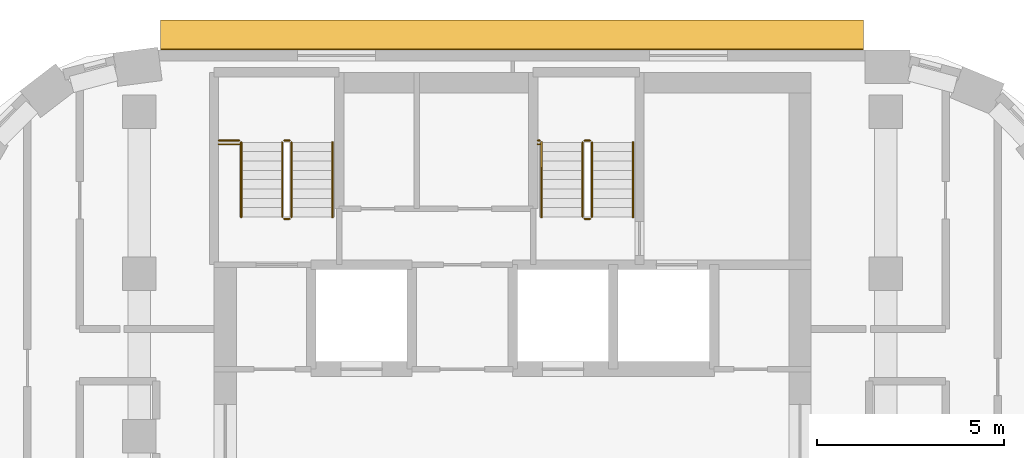
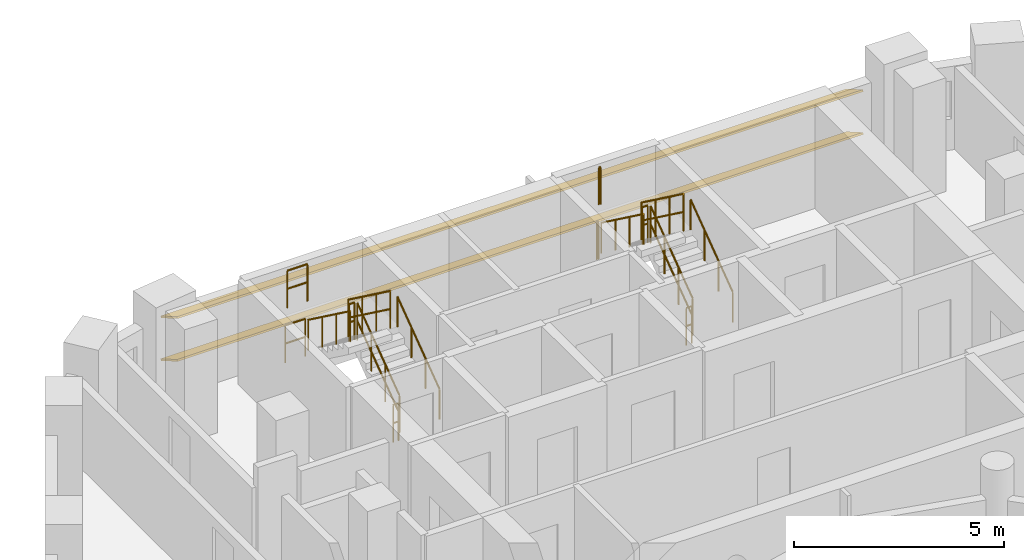
# One storey, part 15 of 15: 16 railings, 2 shading devices.
"""IFC4 building model written with IfcOpenShell, lengths in metres."""

from ifc_helpers import new_model, si_unit, direction, frame, origin, origin_2d, place, context, subcontext, project, spatial, rectangle, circle, extrude, material, material_profile, profile_set, type_object, element, save


model = new_model("IFC4")

# Units and contexts
model_context = context("Model", 3, precision=1e-05, world=origin(), true_north=direction((0.0, 1.0)))
body_context = subcontext(model_context, "Body", "Model", "MODEL_VIEW")
ifc_project = project(units=[si_unit("LENGTHUNIT", "METRE"), si_unit("AREAUNIT", "SQUARE_METRE"), si_unit("VOLUMEUNIT", "CUBIC_METRE"), si_unit("PLANEANGLEUNIT", "RADIAN"), si_unit("MASSUNIT", "GRAM", prefix="KILO")], contexts=[model_context])

# Site, building, storey
site_placement = place(None, origin())
site = spatial("IfcSite", under=ifc_project, at=site_placement, CompositionType="ELEMENT")
building_placement = place(site_placement, origin())
building = spatial("IfcBuilding", under=site, at=building_placement, Name="Nakaniwa Court", CompositionType="ELEMENT")
storey_placement = place(building_placement, frame((0.0, 0.0, 213.0)))
storey = spatial("IfcBuildingStorey", under=building, at=storey_placement, Name="L56", CompositionType="ELEMENT", Elevation=213.0)

# Shading devices
ifc_material_1 = material(Name="Perforated charcoal ceramic louvre blade")
ifc_material_profile = material_profile(ifc_material_1, rectangle(XDim=0.89990234375, YDim=0.050048828125, at=origin_2d()), Name="Perforated ceramic louvre blade")
ifc_profile_set = profile_set([ifc_material_profile], Name="Perforated charcoal ceramic louvre blade")
shading_device_type = type_object("IfcShadingDeviceType", Name="Perforated ceramic louvre blade", PredefinedType="JALOUSIE", material=ifc_profile_set)
for number, where, z_axis, x_axis, name in (
    (1, (89.3994140625, 103.05224609375, 0.550048828125), (-1.0, 0.0, 0.0), (0.0, -0.866025403784, 0.5), "L56 perforated ceramic louvre blade w08 1"),
    (2, (89.3994140625, 103.05224609375, 1.793212890625), (-1.0, 0.0, 0.0), (0.0, -0.866025403784, 0.5), "L56 perforated ceramic louvre blade w08 2"),
):
    element("IfcShadingDevice", number, at=place(storey_placement, frame(where, z_axis=z_axis, x_axis=x_axis)), inside=storey, type_object=shading_device_type, Name=name, PredefinedType="JALOUSIE", context=body_context, shape_type="SweptSolid", body=[
        extrude(rectangle(XDim=0.89990234375, YDim=0.050048828125, at=origin_2d()), origin(), (0.0, 0.0, 1.0), 18.8330078125),
    ])

# Railings
ifc_material_2 = material(Name="Black powder coated steel guard", Category="steel")
railing_type_1 = type_object("IfcRailingType", Name="Stair guard 1100", PredefinedType="GUARDRAIL", material=ifc_material_2)
railing_1_placement = place(storey_placement, frame((74.074951171875, 98.175048828125, 0.183349609375)))
element("IfcRailing", 3, at=railing_1_placement, inside=storey, type_object=railing_type_1, Name="L56 ST1 stair guard 1", PredefinedType="GUARDRAIL", context=body_context, shape_type="SweptSolid", body=[
    extrude(circle(Radius=0.02392578125, at=origin_2d()), frame((0.0, 0.0, 1.076171875), z_axis=(0.0, 0.806426902644, 0.591333789573), x_axis=(-1.0, 0.0, 0.0)), (0.0, 0.0, 1.0), 2.47998046875),
    extrude(circle(Radius=0.02392578125, at=origin_2d()), frame((0.0, 0.0, 0.550048828125), z_axis=(0.0, 0.806426902644, 0.591333789573), x_axis=(-1.0, 0.0, 0.0)), (0.0, 0.0, 1.0), 2.47998046875),
    extrude(circle(Radius=0.02099609375, at=origin_2d()), origin(), (0.0, 0.0, 1.0), 1.052001953125),
    extrude(circle(Radius=0.02099609375, at=origin_2d()), frame((0.0, 0.666748046875, 0.48876953125)), (0.0, 0.0, 1.0), 1.052001953125),
    extrude(circle(Radius=0.02099609375, at=origin_2d()), frame((0.0, 1.333251953125, 0.977783203125)), (0.0, 0.0, 1.0), 1.052001953125),
    extrude(circle(Radius=0.02099609375, at=origin_2d()), frame((0.0, 2.0, 1.466552734375)), (0.0, 0.0, 1.0), 1.052001953125),
])
railing_2_placement = place(storey_placement, frame((74.02490234375, 100.22509765625, 1.64990234375)))
element("IfcRailing", 4, at=railing_2_placement, inside=storey, type_object=railing_type_1, Name="L56 ST1 stair guard 2", PredefinedType="GUARDRAIL", context=body_context, shape_type="SweptSolid", body=[
    extrude(circle(Radius=0.02392578125, at=origin_2d()), frame((0.0, 0.0, 1.076171875), z_axis=(-1.0, 0.0, 0.0), x_axis=(0.0, -1.0, 0.0)), (0.0, 0.0, 1.0), 0.14990234375),
    extrude(circle(Radius=0.02392578125, at=origin_2d()), frame((0.0, 0.0, 0.550048828125), z_axis=(-1.0, 0.0, 0.0), x_axis=(0.0, -1.0, 0.0)), (0.0, 0.0, 1.0), 0.14990234375),
    extrude(circle(Radius=0.02099609375, at=origin_2d()), origin(), (0.0, 0.0, 1.0), 1.052001953125),
    extrude(circle(Radius=0.02099609375, at=origin_2d()), frame((-0.14990234375, 0.0, 0.0)), (0.0, 0.0, 1.0), 1.052001953125),
])
railing_3_placement = place(storey_placement, frame((73.824951171875, 100.175048828125, 1.833251953125)))
element("IfcRailing", 5, at=railing_3_placement, inside=storey, type_object=railing_type_1, Name="L56 ST1 stair guard 3", PredefinedType="GUARDRAIL", context=body_context, shape_type="SweptSolid", body=[
    extrude(circle(Radius=0.02392578125, at=origin_2d()), frame((0.0, 0.0, 1.076171875), z_axis=(0.0, -0.806379959628, 0.591397802423), x_axis=(1.0, 0.0, 0.0)), (0.0, 0.0, 1.0), 2.480224609375),
    extrude(circle(Radius=0.02392578125, at=origin_2d()), frame((0.0, 0.0, 0.550048828125), z_axis=(0.0, -0.806379959628, 0.591397802423), x_axis=(1.0, 0.0, 0.0)), (0.0, 0.0, 1.0), 2.480224609375),
    extrude(circle(Radius=0.02099609375, at=origin_2d()), origin(), (0.0, 0.0, 1.0), 1.052001953125),
    extrude(circle(Radius=0.02099609375, at=origin_2d()), frame((0.0, -0.666748046875, 0.489013671875)), (0.0, 0.0, 1.0), 1.052001953125),
    extrude(circle(Radius=0.02099609375, at=origin_2d()), frame((0.0, -1.333251953125, 0.977783203125)), (0.0, 0.0, 1.0), 1.052001953125),
    extrude(circle(Radius=0.02099609375, at=origin_2d()), frame((0.0, -2.0, 1.466796875)), (0.0, 0.0, 1.0), 1.052001953125),
])
railing_4_placement = place(storey_placement, frame((74.02490234375, 98.125, 0.0)))
element("IfcRailing", 6, at=railing_4_placement, inside=storey, type_object=railing_type_1, Name="L56 ST1 stair guard 4", PredefinedType="GUARDRAIL", context=body_context, shape_type="SweptSolid", body=[
    extrude(circle(Radius=0.02392578125, at=origin_2d()), frame((0.0, 0.0, 1.076171875), z_axis=(-1.0, 0.0, 0.0), x_axis=(0.0, -1.0, 0.0)), (0.0, 0.0, 1.0), 0.14990234375),
    extrude(circle(Radius=0.02392578125, at=origin_2d()), frame((0.0, 0.0, 0.550048828125), z_axis=(-1.0, 0.0, 0.0), x_axis=(0.0, -1.0, 0.0)), (0.0, 0.0, 1.0), 0.14990234375),
    extrude(circle(Radius=0.02099609375, at=origin_2d()), origin(), (0.0, 0.0, 1.0), 1.052001953125),
    extrude(circle(Radius=0.02099609375, at=origin_2d()), frame((-0.14990234375, 0.0, 0.0)), (0.0, 0.0, 1.0), 1.052001953125),
])
for number, where, name in (
    (7, (72.125, 100.22509765625, 1.64990234375), "L56 ST1 landing side guard 1W"),
    (8, (72.125, 100.125, 3.300048828125), "L56 ST1 floor edge guard 1W"),
):
    element("IfcRailing", number, at=place(storey_placement, frame(where)), inside=storey, type_object=railing_type_1, Name=name, PredefinedType="GUARDRAIL", context=body_context, shape_type="SweptSolid", body=[
        extrude(circle(Radius=0.02392578125, at=origin_2d()), frame((0.0, 0.0, 1.076171875), z_axis=(1.0, 0.0, 0.0), x_axis=(0.0, 1.0, 0.0)), (0.0, 0.0, 1.0), 0.550048828125),
        extrude(circle(Radius=0.02392578125, at=origin_2d()), frame((0.0, 0.0, 0.550048828125), z_axis=(1.0, 0.0, 0.0), x_axis=(0.0, 1.0, 0.0)), (0.0, 0.0, 1.0), 0.550048828125),
        extrude(circle(Radius=0.02099609375, at=origin_2d()), origin(), (0.0, 0.0, 1.0), 1.052001953125),
        extrude(circle(Radius=0.02099609375, at=origin_2d()), frame((0.550048828125, 0.0, 0.0)), (0.0, 0.0, 1.0), 1.052001953125),
    ])
railing_5_placement = place(storey_placement, frame((82.125, 98.175048828125, 0.183349609375)))
element("IfcRailing", 9, at=railing_5_placement, inside=storey, type_object=railing_type_1, Name="L56 ST2 stair guard 1", PredefinedType="GUARDRAIL", context=body_context, shape_type="SweptSolid", body=[
    extrude(circle(Radius=0.02392578125, at=origin_2d()), frame((0.0, 0.0, 1.076171875), z_axis=(0.0, 0.806426902644, 0.591333789573), x_axis=(-1.0, 0.0, 0.0)), (0.0, 0.0, 1.0), 2.47998046875),
    extrude(circle(Radius=0.02392578125, at=origin_2d()), frame((0.0, 0.0, 0.550048828125), z_axis=(0.0, 0.806426902644, 0.591333789573), x_axis=(-1.0, 0.0, 0.0)), (0.0, 0.0, 1.0), 2.47998046875),
    extrude(circle(Radius=0.02099609375, at=origin_2d()), origin(), (0.0, 0.0, 1.0), 1.052001953125),
    extrude(circle(Radius=0.02099609375, at=origin_2d()), frame((0.0, 0.666748046875, 0.48876953125)), (0.0, 0.0, 1.0), 1.052001953125),
    extrude(circle(Radius=0.02099609375, at=origin_2d()), frame((0.0, 1.333251953125, 0.977783203125)), (0.0, 0.0, 1.0), 1.052001953125),
    extrude(circle(Radius=0.02099609375, at=origin_2d()), frame((0.0, 2.0, 1.466552734375)), (0.0, 0.0, 1.0), 1.052001953125),
])
railing_6_placement = place(storey_placement, frame((82.074951171875, 100.22509765625, 1.64990234375)))
element("IfcRailing", 10, at=railing_6_placement, inside=storey, type_object=railing_type_1, Name="L56 ST2 stair guard 2", PredefinedType="GUARDRAIL", context=body_context, shape_type="SweptSolid", body=[
    extrude(circle(Radius=0.02392578125, at=origin_2d()), frame((0.0, 0.0, 1.076171875), z_axis=(-1.0, 0.0, 0.0), x_axis=(0.0, -1.0, 0.0)), (0.0, 0.0, 1.0), 0.14990234375),
    extrude(circle(Radius=0.02392578125, at=origin_2d()), frame((0.0, 0.0, 0.550048828125), z_axis=(-1.0, 0.0, 0.0), x_axis=(0.0, -1.0, 0.0)), (0.0, 0.0, 1.0), 0.14990234375),
    extrude(circle(Radius=0.02099609375, at=origin_2d()), origin(), (0.0, 0.0, 1.0), 1.052001953125),
    extrude(circle(Radius=0.02099609375, at=origin_2d()), frame((-0.14990234375, 0.0, 0.0)), (0.0, 0.0, 1.0), 1.052001953125),
])
railing_7_placement = place(storey_placement, frame((81.875, 100.175048828125, 1.833251953125)))
element("IfcRailing", 11, at=railing_7_placement, inside=storey, type_object=railing_type_1, Name="L56 ST2 stair guard 3", PredefinedType="GUARDRAIL", context=body_context, shape_type="SweptSolid", body=[
    extrude(circle(Radius=0.02392578125, at=origin_2d()), frame((0.0, 0.0, 1.076171875), z_axis=(0.0, -0.806379959628, 0.591397802423), x_axis=(1.0, 0.0, 0.0)), (0.0, 0.0, 1.0), 2.480224609375),
    extrude(circle(Radius=0.02392578125, at=origin_2d()), frame((0.0, 0.0, 0.550048828125), z_axis=(0.0, -0.806379959628, 0.591397802423), x_axis=(1.0, 0.0, 0.0)), (0.0, 0.0, 1.0), 2.480224609375),
    extrude(circle(Radius=0.02099609375, at=origin_2d()), origin(), (0.0, 0.0, 1.0), 1.052001953125),
    extrude(circle(Radius=0.02099609375, at=origin_2d()), frame((0.0, -0.666748046875, 0.489013671875)), (0.0, 0.0, 1.0), 1.052001953125),
    extrude(circle(Radius=0.02099609375, at=origin_2d()), frame((0.0, -1.333251953125, 0.977783203125)), (0.0, 0.0, 1.0), 1.052001953125),
    extrude(circle(Radius=0.02099609375, at=origin_2d()), frame((0.0, -2.0, 1.466796875)), (0.0, 0.0, 1.0), 1.052001953125),
])
railing_8_placement = place(storey_placement, frame((82.074951171875, 98.125, 0.0)))
element("IfcRailing", 12, at=railing_8_placement, inside=storey, type_object=railing_type_1, Name="L56 ST2 stair guard 4", PredefinedType="GUARDRAIL", context=body_context, shape_type="SweptSolid", body=[
    extrude(circle(Radius=0.02392578125, at=origin_2d()), frame((0.0, 0.0, 1.076171875), z_axis=(-1.0, 0.0, 0.0), x_axis=(0.0, -1.0, 0.0)), (0.0, 0.0, 1.0), 0.14990234375),
    extrude(circle(Radius=0.02392578125, at=origin_2d()), frame((0.0, 0.0, 0.550048828125), z_axis=(-1.0, 0.0, 0.0), x_axis=(0.0, -1.0, 0.0)), (0.0, 0.0, 1.0), 0.14990234375),
    extrude(circle(Radius=0.02099609375, at=origin_2d()), origin(), (0.0, 0.0, 1.0), 1.052001953125),
    extrude(circle(Radius=0.02099609375, at=origin_2d()), frame((-0.14990234375, 0.0, 0.0)), (0.0, 0.0, 1.0), 1.052001953125),
])
for number, where, name in (
    (13, (80.675048828125, 100.22509765625, 1.64990234375), "L56 ST2 landing side guard 1W"),
    (14, (80.675048828125, 100.125, 3.300048828125), "L56 ST2 floor edge guard 1W"),
):
    element("IfcRailing", number, at=place(storey_placement, frame(where)), inside=storey, type_object=railing_type_1, Name=name, PredefinedType="GUARDRAIL", context=body_context, shape_type="SweptSolid", body=[
        extrude(circle(Radius=0.02392578125, at=origin_2d()), frame((0.0, 0.0, 1.076171875), z_axis=(1.0, 0.0, 0.0), x_axis=(0.0, 1.0, 0.0)), (0.0, 0.0, 1.0), 0.050048828125),
        extrude(circle(Radius=0.02392578125, at=origin_2d()), frame((0.0, 0.0, 0.550048828125), z_axis=(1.0, 0.0, 0.0), x_axis=(0.0, 1.0, 0.0)), (0.0, 0.0, 1.0), 0.050048828125),
        extrude(circle(Radius=0.02099609375, at=origin_2d()), origin(), (0.0, 0.0, 1.0), 1.052001953125),
        extrude(circle(Radius=0.02099609375, at=origin_2d()), frame((0.050048828125, 0.0, 0.0)), (0.0, 0.0, 1.0), 1.052001953125),
    ])
ifc_material_3 = material(Name="Black powder coated steel handrail", Category="steel")
railing_type_2 = type_object("IfcRailingType", Name="Stair handrail 900", PredefinedType="HANDRAIL", material=ifc_material_3)
railing_9_placement = place(storey_placement, frame((75.175048828125, 98.175048828125, 0.183349609375)))
element("IfcRailing", 15, at=railing_9_placement, inside=storey, type_object=railing_type_2, Name="L56 ST1 stair handrail 1", PredefinedType="HANDRAIL", context=body_context, shape_type="SweptSolid", body=[
    extrude(circle(Radius=0.02392578125, at=origin_2d()), frame((0.0, 0.0, 0.8759765625), z_axis=(0.0, 0.806426902644, 0.591333789573), x_axis=(-1.0, 0.0, 0.0)), (0.0, 0.0, 1.0), 2.47998046875),
    extrude(circle(Radius=0.02099609375, at=origin_2d()), origin(), (0.0, 0.0, 1.0), 0.851806640625),
    extrude(circle(Radius=0.02099609375, at=origin_2d()), frame((0.0, 0.666748046875, 0.48876953125)), (0.0, 0.0, 1.0), 0.851806640625),
    extrude(circle(Radius=0.02099609375, at=origin_2d()), frame((0.0, 1.333251953125, 0.977783203125)), (0.0, 0.0, 1.0), 0.851806640625),
    extrude(circle(Radius=0.02099609375, at=origin_2d()), frame((0.0, 2.0, 1.466552734375)), (0.0, 0.0, 1.0), 0.851806640625),
])
railing_10_placement = place(storey_placement, frame((72.72509765625, 100.175048828125, 1.833251953125)))
element("IfcRailing", 16, at=railing_10_placement, inside=storey, type_object=railing_type_2, Name="L56 ST1 stair handrail 2", PredefinedType="HANDRAIL", context=body_context, shape_type="SweptSolid", body=[
    extrude(circle(Radius=0.02392578125, at=origin_2d()), frame((0.0, 0.0, 0.8759765625), z_axis=(0.0, -0.806379959628, 0.591397802423), x_axis=(1.0, 0.0, 0.0)), (0.0, 0.0, 1.0), 2.480224609375),
    extrude(circle(Radius=0.02099609375, at=origin_2d()), origin(), (0.0, 0.0, 1.0), 0.851806640625),
    extrude(circle(Radius=0.02099609375, at=origin_2d()), frame((0.0, -0.666748046875, 0.489013671875)), (0.0, 0.0, 1.0), 0.851806640625),
    extrude(circle(Radius=0.02099609375, at=origin_2d()), frame((0.0, -1.333251953125, 0.977783203125)), (0.0, 0.0, 1.0), 0.851806640625),
    extrude(circle(Radius=0.02099609375, at=origin_2d()), frame((0.0, -2.0, 1.466796875)), (0.0, 0.0, 1.0), 0.851806640625),
])
railing_11_placement = place(storey_placement, frame((83.22509765625, 98.175048828125, 0.183349609375)))
element("IfcRailing", 17, at=railing_11_placement, inside=storey, type_object=railing_type_2, Name="L56 ST2 stair handrail 1", PredefinedType="HANDRAIL", context=body_context, shape_type="SweptSolid", body=[
    extrude(circle(Radius=0.02392578125, at=origin_2d()), frame((0.0, 0.0, 0.8759765625), z_axis=(0.0, 0.806426902644, 0.591333789573), x_axis=(-1.0, 0.0, 0.0)), (0.0, 0.0, 1.0), 2.47998046875),
    extrude(circle(Radius=0.02099609375, at=origin_2d()), origin(), (0.0, 0.0, 1.0), 0.851806640625),
    extrude(circle(Radius=0.02099609375, at=origin_2d()), frame((0.0, 0.666748046875, 0.48876953125)), (0.0, 0.0, 1.0), 0.851806640625),
    extrude(circle(Radius=0.02099609375, at=origin_2d()), frame((0.0, 1.333251953125, 0.977783203125)), (0.0, 0.0, 1.0), 0.851806640625),
    extrude(circle(Radius=0.02099609375, at=origin_2d()), frame((0.0, 2.0, 1.466552734375)), (0.0, 0.0, 1.0), 0.851806640625),
])
railing_12_placement = place(storey_placement, frame((80.77490234375, 100.175048828125, 1.833251953125)))
element("IfcRailing", 18, at=railing_12_placement, inside=storey, type_object=railing_type_2, Name="L56 ST2 stair handrail 2", PredefinedType="HANDRAIL", context=body_context, shape_type="SweptSolid", body=[
    extrude(circle(Radius=0.02392578125, at=origin_2d()), frame((0.0, 0.0, 0.8759765625), z_axis=(0.0, -0.806379959628, 0.591397802423), x_axis=(1.0, 0.0, 0.0)), (0.0, 0.0, 1.0), 2.480224609375),
    extrude(circle(Radius=0.02099609375, at=origin_2d()), origin(), (0.0, 0.0, 1.0), 0.851806640625),
    extrude(circle(Radius=0.02099609375, at=origin_2d()), frame((0.0, -0.666748046875, 0.489013671875)), (0.0, 0.0, 1.0), 0.851806640625),
    extrude(circle(Radius=0.02099609375, at=origin_2d()), frame((0.0, -1.333251953125, 0.977783203125)), (0.0, 0.0, 1.0), 0.851806640625),
    extrude(circle(Radius=0.02099609375, at=origin_2d()), frame((0.0, -2.0, 1.466796875)), (0.0, 0.0, 1.0), 0.851806640625),
])

save(model, "model.ifc")
